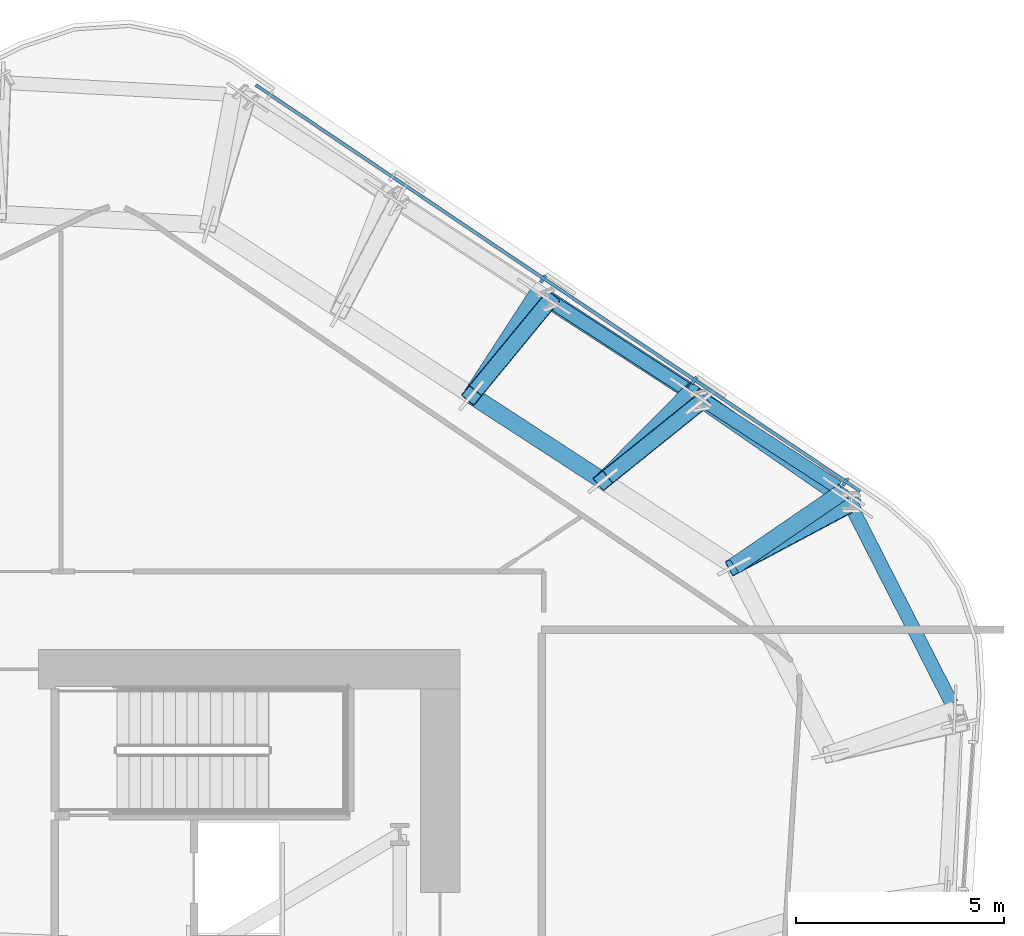
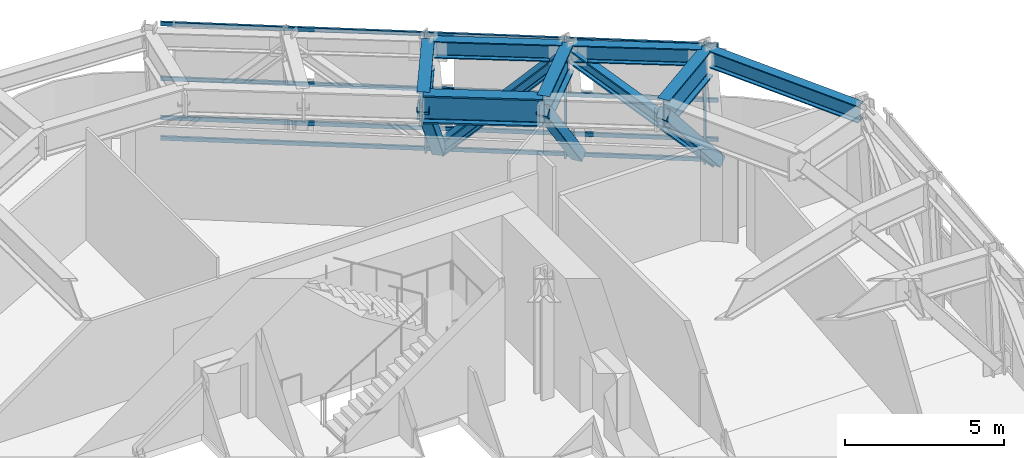
# One storey, part 6 of 14: 12 members, 7 beams, 1 element without a shape of its own.
"""IFC4 building model written with IfcOpenShell, lengths in metres."""

from ifc_helpers import new_model, si_unit, direction, frame, origin, origin_2d, place, context, subcontext, project, spatial, rectangle, hollow_rectangle, i_section, extrude, material, layer, layer_set, material_profile, profile_set, type_object, element, aggregate, save


model = new_model("IFC4")

# Units and contexts
model_context = context("Model", 3, precision=1e-05, world=origin(), true_north=direction((0.0, 1.0)))
body_context = subcontext(model_context, "Body", "Model", "MODEL_VIEW")
ifc_project = project(units=[si_unit("LENGTHUNIT", "METRE"), si_unit("AREAUNIT", "SQUARE_METRE"), si_unit("VOLUMEUNIT", "CUBIC_METRE"), si_unit("PLANEANGLEUNIT", "RADIAN"), si_unit("MASSUNIT", "GRAM", prefix="KILO")], contexts=[model_context])

# Site, building, storey
site_placement = place(None, origin())
site = spatial("IfcSite", under=ifc_project, at=site_placement, CompositionType="ELEMENT")
building_placement = place(site_placement, origin())
building = spatial("IfcBuilding", under=site, at=building_placement, Name="Valkerne Bourse Tower", CompositionType="ELEMENT")
storey_placement = place(building_placement, frame((0.0, 0.0, 135.199951171875)))
storey = spatial("IfcBuildingStorey", under=building, at=storey_placement, Name="L34", CompositionType="ELEMENT", Elevation=135.199951171875)

# Beams
ifc_material_1 = material(Name="Steel ASTM A992", Category="steel")
ifc_material_profile_1 = material_profile(ifc_material_1, i_section(OverallWidth=0.330078125, OverallDepth=0.647705078125, WebThickness=0.0205078125, FlangeThickness=0.037109375, FilletRadius=0.020263671875, at=origin_2d()), Name="W24X192")
ifc_profile_set_1 = profile_set([ifc_material_profile_1], Name="Steel ASTM A992")
beam_type_1 = type_object("IfcBeamType", Name="BM-W24X192", PredefinedType="SPANDREL", material=ifc_profile_set_1)
for number, where, z_axis, x_axis, name in (
    (1, (65.494384765625, 40.00390625, 4.25634765625), (-0.838669813652, 0.544640196524, 0.0), (-0.544640196524, -0.838669813652, 0.0), "L34 Hexagonal Spandrel Ring Beam 00"),
    (2, (61.818603515625, 42.39111328125, 4.25634765625), (-0.838687725388, 0.544612613959, 0.0), (-0.544612613959, -0.838687725388, 0.0), "L34 Hexagonal Spandrel Ring Beam 01"),
):
    element("IfcBeam", number, at=place(storey_placement, frame(where, z_axis=z_axis, x_axis=x_axis)), inside=storey, type_object=beam_type_1, Name=name, PredefinedType="SPANDREL", context=body_context, shape_type="SweptSolid", body=[
        extrude(i_section(OverallWidth=0.330078125, OverallDepth=0.647705078125, WebThickness=0.0205078125, FlangeThickness=0.037109375, FilletRadius=0.020263671875, at=origin_2d()), origin(), (0.0, 0.0, 1.0), 4.04296875),
    ])
beam_1_placement = place(storey_placement, frame((68.240478515625, 34.8017578125, 4.25634765625), z_axis=(-0.45400990669, 0.890996635587, 0.0), x_axis=(-0.890996635587, -0.45400990669, 0.0)))
element("IfcBeam", 3, at=beam_1_placement, inside=storey, type_object=beam_type_1, Name="L34 Hexagonal Spandrel Ring Beam 29", PredefinedType="SPANDREL", context=body_context, shape_type="SweptSolid", body=[
    extrude(i_section(OverallWidth=0.330078125, OverallDepth=0.647705078125, WebThickness=0.0205078125, FlangeThickness=0.037109375, FilletRadius=0.020263671875, at=origin_2d()), origin(), (0.0, 0.0, 1.0), 5.564453125),
])
ifc_material_2 = material(Name="Steel ASTM A913 Grade 65", Category="steel")
ifc_material_profile_2 = material_profile(ifc_material_2, i_section(OverallWidth=0.408935546875, OverallDepth=1.06689453125, WebThickness=0.031005859375, FlangeThickness=0.055908203125, FilletRadius=0.030517578125, at=origin_2d()), Name="W40X397")
ifc_profile_set_2 = profile_set([ifc_material_profile_2], Name="Steel ASTM A913 Grade 65")
beam_type_2 = type_object("IfcBeamType", Name="BM-W40X397", PredefinedType="BEAM", material=ifc_profile_set_2)
beam_2_placement = place(storey_placement, frame((65.636962890625, 39.911376953125, 4.046630859375), z_axis=(-0.824807404371, -0.565413782724, 0.0), x_axis=(0.565413782724, -0.824807404371, 0.0)))
element("IfcBeam", 4, at=beam_2_placement, inside=storey, type_object=beam_type_2, Name="L34 Radial Setback Transfer Girder Out 00", PredefinedType="BEAM", context=body_context, shape_type="SweptSolid", body=[
    extrude(i_section(OverallWidth=0.408935546875, OverallDepth=1.06689453125, WebThickness=0.031005859375, FlangeThickness=0.055908203125, FilletRadius=0.030517578125, at=origin_2d()), origin(), (0.0, 0.0, 1.0), 3.188720703125),
])
beam_3_placement = place(storey_placement, frame((61.961181640625, 42.298583984375, 4.046630859375), z_axis=(-0.703933939952, -0.710265449099, 0.0), x_axis=(0.710265449099, -0.703933939952, 0.0)))
element("IfcBeam", 5, at=beam_3_placement, inside=storey, type_object=beam_type_2, Name="L34 Radial Setback Transfer Girder Out 01", PredefinedType="BEAM", context=body_context, shape_type="SweptSolid", body=[
    extrude(i_section(OverallWidth=0.408935546875, OverallDepth=1.06689453125, WebThickness=0.031005859375, FlangeThickness=0.055908203125, FilletRadius=0.030517578125, at=origin_2d()), origin(), (0.0, 0.0, 1.0), 3.007568359375),
])
beam_4_placement = place(storey_placement, frame((59.843994140625, 40.162353515625, 4.046630859375), z_axis=(-0.838653592165, 0.544665174532, 0.0), x_axis=(-0.544665174532, -0.838653592165, 0.0)))
element("IfcBeam", 6, at=beam_4_placement, inside=storey, type_object=beam_type_2, Name="L34 Setback Ring Transfer Girder 01", PredefinedType="BEAM", context=body_context, shape_type="SweptSolid", body=[
    extrude(i_section(OverallWidth=0.408935546875, OverallDepth=1.06689453125, WebThickness=0.031005859375, FlangeThickness=0.055908203125, FilletRadius=0.030517578125, at=origin_2d()), origin(), (0.0, 0.0, 1.0), 3.77099609375),
])
beam_5_placement = place(storey_placement, frame((58.28515625, 44.685546875, 4.046630859375), z_axis=(-0.544691034166, -0.83863679701, 0.0), x_axis=(0.83863679701, -0.544691034166, 0.0)))
element("IfcBeam", 7, at=beam_5_placement, inside=storey, type_object=beam_type_2, Name="L34 Radial Setback Transfer Girder Out 02", PredefinedType="BEAM", context=body_context, shape_type="SweptSolid", body=[
    extrude(i_section(OverallWidth=0.408935546875, OverallDepth=1.06689453125, WebThickness=0.031005859375, FlangeThickness=0.055908203125, FilletRadius=0.030517578125, at=origin_2d()), origin(), (0.0, 0.0, 1.0), 2.9443359375),
])

# Curtain wall, members
ifc_material_3 = material(Name="Aluminium AA 6063-T6", Category="aluminium")
ifc_layer = layer(ifc_material_3, 0.25)
ifc_layer_set = layer_set([ifc_layer], Name="Aluminium AA 6063-T6")
curtain_wall_type = type_object("IfcCurtainWallType", Name="CW-06", PredefinedType="NOTDEFINED", material=ifc_layer_set)
curtain_wall_placement = place(storey_placement, origin())
curtain_wall = element("IfcCurtainWall", 8, at=curtain_wall_placement, inside=storey, type_object=curtain_wall_type, Name="L34 Hexagonal Stick Curtain Wall Face 1", PredefinedType="NOTDEFINED")
ifc_material_profile_3 = material_profile(ifc_material_3, rectangle(XDim=0.074951171875, YDim=0.199951171875, at=origin_2d()), Name="CWM-75X200")
ifc_profile_set_3 = profile_set([ifc_material_profile_3], Name="Aluminium AA 6063-T6")
member_type_1 = type_object("IfcMemberType", Name="CW-MUL-220X75", PredefinedType="MULLION", material=ifc_profile_set_3)
member_1_placement = place(storey_placement, frame((65.678466796875, 40.13037109375, 0.0), z_axis=(0.0, 0.0, 1.0), x_axis=(-0.830015933895, 0.557739678955, 0.0)))
member_1 = element("IfcMember", 9, at=member_1_placement, type_object=member_type_1, Name="CW-L34-F1 Jamb Mullion 00A", PredefinedType="MULLION", context=body_context, shape_type="SweptSolid", body=[
    extrude(rectangle(XDim=0.074951171875, YDim=0.199951171875, at=origin_2d()), origin(), (0.0, 0.0, 1.0), 4.580078125),
])
member_2_placement = place(storey_placement, frame((62.04052734375, 42.574951171875, 0.0), z_axis=(0.0, 0.0, 1.0), x_axis=(-0.830008836501, 0.557750240996, 0.0)))
member_2 = element("IfcMember", 10, at=member_2_placement, type_object=member_type_1, Name="CW-L34-F1 Jamb Mullion 01A", PredefinedType="MULLION", context=body_context, shape_type="SweptSolid", body=[
    extrude(rectangle(XDim=0.074951171875, YDim=0.199951171875, at=origin_2d()), origin(), (0.0, 0.0, 1.0), 4.580078125),
])
member_3_placement = place(storey_placement, frame((58.402587890625, 45.01953125, 0.0), z_axis=(0.0, 0.0, 1.0), x_axis=(-0.830015933895, 0.557739678955, 0.0)))
member_3 = element("IfcMember", 11, at=member_3_placement, type_object=member_type_1, Name="CW-L34-F1 Jamb Mullion 02A", PredefinedType="MULLION", context=body_context, shape_type="SweptSolid", body=[
    extrude(rectangle(XDim=0.074951171875, YDim=0.199951171875, at=origin_2d()), origin(), (0.0, 0.0, 1.0), 4.580078125),
])
ifc_material_profile_4 = material_profile(ifc_material_3, rectangle(XDim=0.074951171875, YDim=0.14990234375, at=origin_2d()), Name="CWT-75X150")
ifc_profile_set_4 = profile_set([ifc_material_profile_4], Name="Aluminium AA 6063-T6")
member_type_2 = type_object("IfcMemberType", Name="CW-TRN-180X65", PredefinedType="USERDEFINED", material=ifc_profile_set_4)
member_4_placement = place(storey_placement, frame((66.038330078125, 39.91259765625, 0.1201171875), z_axis=(-0.830007294275, 0.557752536031, 0.0), x_axis=(-0.557752536031, -0.830007294275, 0.0)))
member_4 = element("IfcMember", 12, at=member_4_placement, type_object=member_type_2, Name="CW-L34-F1 Continuous Face Transom 1", ObjectType="TRANSOM", PredefinedType="USERDEFINED", context=body_context, shape_type="SweptSolid", body=[
    extrude(rectangle(XDim=0.074951171875, YDim=0.14990234375, at=origin_2d()), origin(), (0.0, 0.0, 1.0), 17.531982421875),
])
member_5_placement = place(storey_placement, frame((66.038330078125, 39.91259765625, 0.900146484375), z_axis=(-0.830007294275, 0.557752536031, 0.0), x_axis=(-0.557752536031, -0.830007294275, 0.0)))
member_5 = element("IfcMember", 13, at=member_5_placement, type_object=member_type_2, Name="CW-L34-F1 Continuous Face Transom 2", ObjectType="TRANSOM", PredefinedType="USERDEFINED", context=body_context, shape_type="SweptSolid", body=[
    extrude(rectangle(XDim=0.074951171875, YDim=0.14990234375, at=origin_2d()), origin(), (0.0, 0.0, 1.0), 17.531982421875),
])
member_6_placement = place(storey_placement, frame((66.038330078125, 39.91259765625, 2.400146484375), z_axis=(-0.830007294275, 0.557752536031, 0.0), x_axis=(-0.557752536031, -0.830007294275, 0.0)))
member_6 = element("IfcMember", 14, at=member_6_placement, type_object=member_type_2, Name="CW-L34-F1 Continuous Face Transom 3", ObjectType="TRANSOM", PredefinedType="USERDEFINED", context=body_context, shape_type="SweptSolid", body=[
    extrude(rectangle(XDim=0.074951171875, YDim=0.14990234375, at=origin_2d()), origin(), (0.0, 0.0, 1.0), 17.531982421875),
])
member_7_placement = place(storey_placement, frame((66.038330078125, 39.91259765625, 4.5), z_axis=(-0.830007294275, 0.557752536031, 0.0), x_axis=(-0.557752536031, -0.830007294275, 0.0)))
member_7 = element("IfcMember", 15, at=member_7_placement, type_object=member_type_2, Name="CW-L34-F1 Continuous Face Transom 4", ObjectType="TRANSOM", PredefinedType="USERDEFINED", context=body_context, shape_type="SweptSolid", body=[
    extrude(rectangle(XDim=0.074951171875, YDim=0.14990234375, at=origin_2d()), origin(), (0.0, 0.0, 1.0), 17.531982421875),
])
aggregate(curtain_wall, [member_4, member_5, member_6, member_7, member_1, member_2, member_3])

# Members
ifc_material_4 = material(Name="Steel ASTM A500 Grade C", Category="steel")
ifc_material_profile_5 = material_profile(ifc_material_4, hollow_rectangle(XDim=0.39990234375, YDim=0.39990234375, WallThickness=0.01611328125, OuterFilletRadius=0.031982421875, at=origin_2d()), Name="HSS400X400X16")
ifc_profile_set_5 = profile_set([ifc_material_profile_5], Name="Steel ASTM A500 Grade C")
member_type_3 = type_object("IfcMemberType", Name="MBR-HSS400X400X16", PredefinedType="BRACE", material=ifc_profile_set_5)
member_8_placement = place(storey_placement, frame((65.83740234375, 39.614013671875, 0.35009765625), z_axis=(-0.578470173818, -0.307695839394, 0.755443928047), x_axis=(0.469611710095, -0.882873060944, 0.0)))
element("IfcMember", 16, at=member_8_placement, inside=storey, type_object=member_type_3, Name="L34 Setback Outrigger Knee Strut 00", PredefinedType="BRACE", context=body_context, shape_type="SweptSolid", body=[
    extrude(hollow_rectangle(XDim=0.39990234375, YDim=0.39990234375, WallThickness=0.01611328125, OuterFilletRadius=0.031982421875, at=origin_2d()), origin(), (0.0, 0.0, 1.0), 4.893310546875),
])
member_9_placement = place(storey_placement, frame((62.199462890625, 42.05859375, 0.35009765625), z_axis=(-0.493208689154, -0.397051398078, 0.774012516841), x_axis=(0.627084688857, -0.778951085115, 0.0)))
element("IfcMember", 17, at=member_9_placement, inside=storey, type_object=member_type_3, Name="L34 Setback Outrigger Knee Strut 01", PredefinedType="BRACE", context=body_context, shape_type="SweptSolid", body=[
    extrude(hollow_rectangle(XDim=0.39990234375, YDim=0.39990234375, WallThickness=0.01611328125, OuterFilletRadius=0.031982421875, at=origin_2d()), origin(), (0.0, 0.0, 1.0), 4.77587890625),
])
member_10_placement = place(storey_placement, frame((58.5615234375, 44.503173828125, 0.35009765625), z_axis=(-0.396992533899, -0.482876128429, 0.780530314993), x_axis=(0.772456051339, -0.635068223697, 0.0)))
element("IfcMember", 18, at=member_10_placement, inside=storey, type_object=member_type_3, Name="L34 Setback Outrigger Knee Strut 02", PredefinedType="BRACE", context=body_context, shape_type="SweptSolid", body=[
    extrude(hollow_rectangle(XDim=0.39990234375, YDim=0.39990234375, WallThickness=0.01611328125, OuterFilletRadius=0.031982421875, at=origin_2d()), origin(), (0.0, 0.0, 1.0), 4.73583984375),
])
ifc_material_profile_6 = material_profile(ifc_material_2, i_section(OverallWidth=0.40380859375, OverallDepth=0.406494140625, WebThickness=0.027099609375, FlangeThickness=0.043701171875, FilletRadius=0.025390625, at=origin_2d()), Name="W14X233")
ifc_profile_set_6 = profile_set([ifc_material_profile_6], Name="Steel ASTM A913 Grade 65")
member_type_4 = type_object("IfcMemberType", Name="MBR-W14X233", PredefinedType="BRACE", material=ifc_profile_set_6)
member_11_placement = place(storey_placement, frame((65.83740234375, 39.614013671875, 0.35009765625), z_axis=(-0.634802368193, 0.439647719383, 0.635402105897), x_axis=(-0.569358056542, -0.822089656577, 0.0)))
element("IfcMember", 19, at=member_11_placement, inside=storey, type_object=member_type_4, Name="L34 Perimeter Belt Truss Diagonal 00", PredefinedType="BRACE", context=body_context, shape_type="SweptSolid", body=[
    extrude(i_section(OverallWidth=0.40380859375, OverallDepth=0.406494140625, WebThickness=0.027099609375, FlangeThickness=0.043701171875, FilletRadius=0.025390625, at=origin_2d()), origin(), (0.0, 0.0, 1.0), 6.106201171875),
])
member_12_placement = place(storey_placement, frame((58.5615234375, 44.503173828125, 0.35009765625), z_axis=(0.606006583596, -0.392979493707, 0.691609093465), x_axis=(0.544087942257, 0.839028194455, 0.0)))
element("IfcMember", 20, at=member_12_placement, inside=storey, type_object=member_type_4, Name="L34 Perimeter Belt Truss Diagonal 01", PredefinedType="BRACE", context=body_context, shape_type="SweptSolid", body=[
    extrude(i_section(OverallWidth=0.40380859375, OverallDepth=0.406494140625, WebThickness=0.027099609375, FlangeThickness=0.043701171875, FilletRadius=0.025390625, at=origin_2d()), origin(), (0.0, 0.0, 1.0), 5.60986328125),
])

save(model, "model.ifc")
